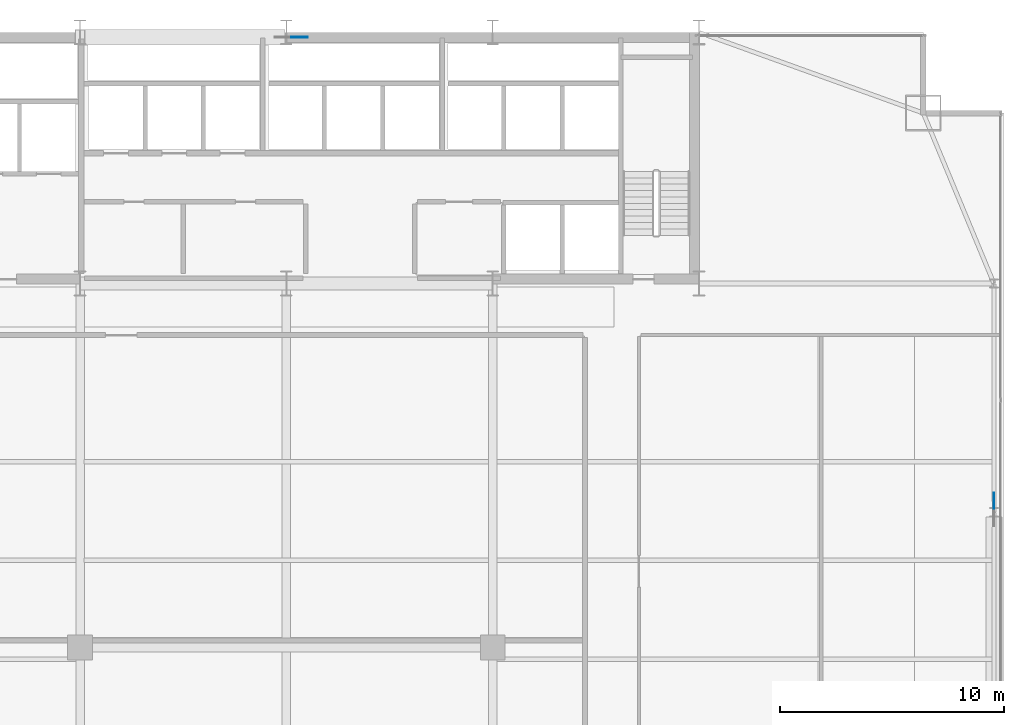
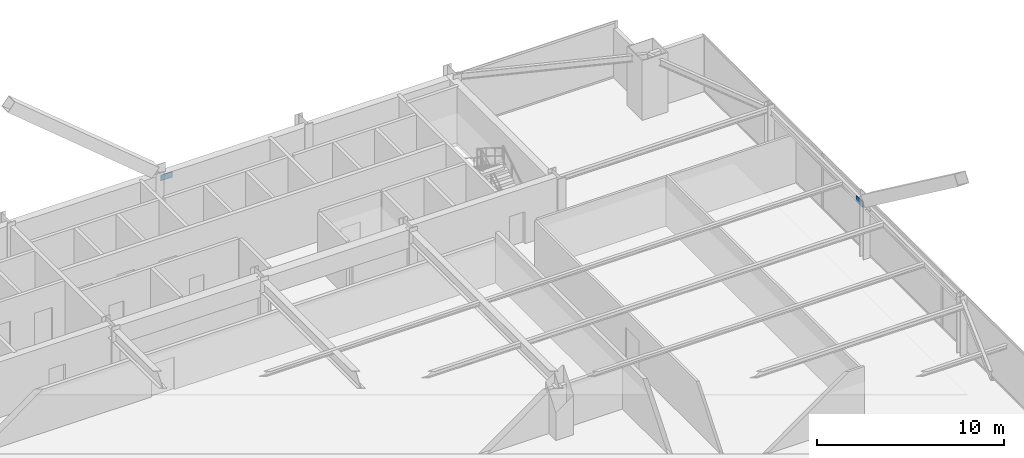
# One storey, part 29 of 34: 2 plates.
"""IFC4 building model written with IfcOpenShell, lengths in metres."""

from ifc_helpers import new_model, si_unit, direction, frame, origin, origin_2d, place, context, subcontext, project, spatial, rectangle, extrude, source, transform, mapped, material, layer, layer_set, type_object, type_shapes, element, save


model = new_model("IFC4")

# Units and contexts
model_context = context("Model", 3, precision=1e-05, world=origin(), true_north=direction((0.0, 1.0)))
body_context = subcontext(model_context, "Body", "Model", "MODEL_VIEW")
ifc_project = project(units=[si_unit("LENGTHUNIT", "METRE"), si_unit("AREAUNIT", "SQUARE_METRE"), si_unit("VOLUMEUNIT", "CUBIC_METRE"), si_unit("PLANEANGLEUNIT", "RADIAN"), si_unit("MASSUNIT", "GRAM", prefix="KILO")], contexts=[model_context])

# Site, building, storey
site_placement = place(None, origin())
site = spatial("IfcSite", under=ifc_project, at=site_placement, CompositionType="ELEMENT")
building_placement = place(site_placement, origin())
building = spatial("IfcBuilding", under=site, at=building_placement, Name="Varnel Quay Broadcast Tower", CompositionType="ELEMENT")
storey_placement = place(building_placement, frame((0.0, 0.0, 47.10009765625)))
storey = spatial("IfcBuildingStorey", under=building, at=storey_placement, Name="L10", CompositionType="ELEMENT", Elevation=47.10009765625)

# Plates
ifc_material = material(Name="Structural Steel CSA G40.21 350WT", Category="steel")
ifc_layer = layer(ifc_material, 0.031982421875, Name="Structural Steel CSA G40.21 350WT")
ifc_layer_set = layer_set([ifc_layer], Name="Structural Steel CSA G40.21 350WT")
plate_type = type_object("IfcPlateType", Name="Plate_EndCap", PredefinedType="USERDEFINED", material=ifc_layer_set)
shared_shape = source(origin(), body_context, "Body", "SweptSolid", [
    extrude(rectangle(XDim=0.719970703125, YDim=0.031982421875, at=origin_2d()), origin(), (0.0, 0.0, 1.0), 0.3798828125),
])
type_shapes(plate_type, [shared_shape])
for number, where, z_axis, x_axis, name in (
    (1, (34.5849609375, 46.580078125, 3.09814453125), (0.0, 0.0, 1.0), (1.0, 0.0, 0.0), "Zone 1 Mega-Brace N-CT2 Diag B1 End Connection Plate P1"),
    (2, (65.550048828125, 25.91845703125, 3.125244140625), (0.0, 0.0, 1.0), (0.0, 1.0, 0.0), "Zone 1 Mega-Brace E-FT2 Diag B1 End Connection Plate P1"),
):
    element("IfcPlate", number, at=place(storey_placement, frame(where, z_axis=z_axis, x_axis=x_axis)), inside=storey, type_object=plate_type, Name=name, ObjectType="CAP_PLATE", PredefinedType="USERDEFINED", context=body_context, shape_type="MappedRepresentation", body=[
        mapped(shared_shape, transform((0.0, 0.0, 0.0), x_axis=(1.0, 0.0, 0.0), y_axis=(0.0, 1.0, 0.0), z_axis=(0.0, 0.0, 1.0), scale=1.0)),
    ])

save(model, "model.ifc")
